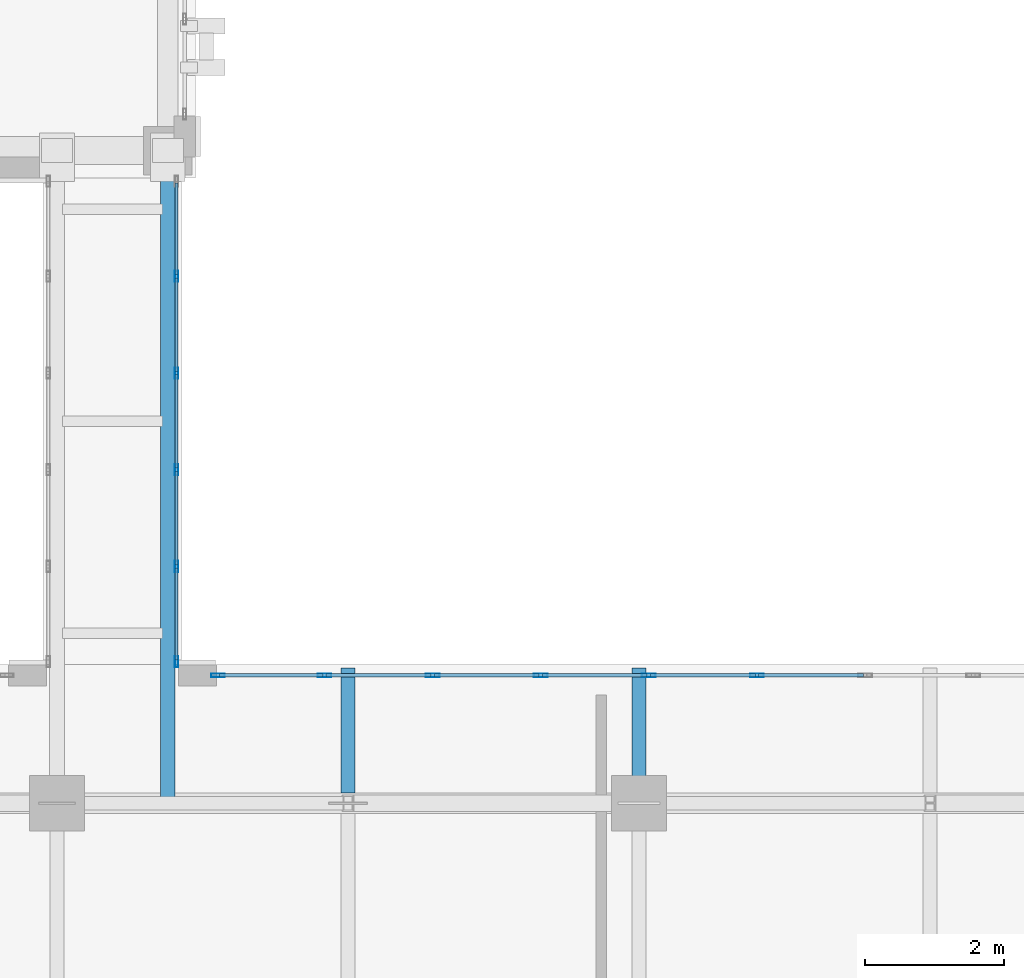
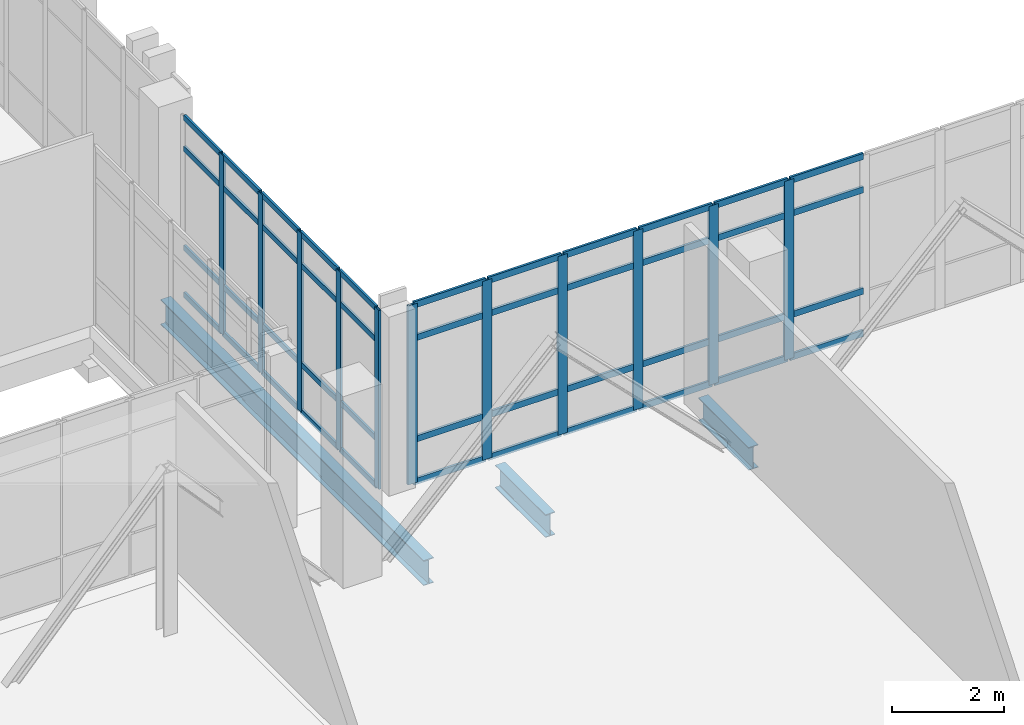
# One storey, part 22 of 193: 55 members, 3 beams, 2 elements without a shape of their own.
"""IFC4 building model written with IfcOpenShell, lengths in metres."""

from ifc_helpers import new_model, si_unit, direction, frame, origin, origin_2d, place, context, subcontext, project, spatial, hollow_rectangle, i_section, extrude, material, layer, layer_set, material_profile, profile_set, type_object, element, aggregate, save


model = new_model("IFC4")

# Units and contexts
model_context = context("Model", 3, precision=1e-05, world=origin(), true_north=direction((0.0, 1.0)))
body_context = subcontext(model_context, "Body", "Model", "MODEL_VIEW")
ifc_project = project(units=[si_unit("LENGTHUNIT", "METRE"), si_unit("AREAUNIT", "SQUARE_METRE"), si_unit("VOLUMEUNIT", "CUBIC_METRE"), si_unit("PLANEANGLEUNIT", "RADIAN"), si_unit("MASSUNIT", "GRAM", prefix="KILO")], contexts=[model_context])

# Site, building, storey
site_placement = place(None, origin())
site = spatial("IfcSite", under=ifc_project, at=site_placement, CompositionType="ELEMENT")
building_placement = place(site_placement, origin())
building = spatial("IfcBuilding", under=site, at=building_placement, Name="Qalavern Law Courts", CompositionType="ELEMENT")
storey_placement = place(building_placement, frame((0.0, 0.0, 10.199951171875)))
storey = spatial("IfcBuildingStorey", under=building, at=storey_placement, Name="L02", CompositionType="ELEMENT", Elevation=10.199951171875)

# Curtain wall, members
ifc_material_1 = material(Name="Anodised aluminium and insulated glazing", Category="aluminium")
ifc_layer_1 = layer(ifc_material_1, 0.14990234375)
ifc_layer_set_1 = layer_set([ifc_layer_1], Name="Anodised aluminium and insulated glazing")
curtain_wall_type_1 = type_object("IfcCurtainWallType", Name="ENV-CW-BRG", PredefinedType="USERDEFINED", material=ifc_layer_set_1)
curtain_wall_1_placement = place(storey_placement, origin())
curtain_wall_1 = element("IfcCurtainWall", 1, at=curtain_wall_1_placement, inside=storey, type_object=curtain_wall_type_1, Name="Bridge BR-V1-V3 glazed curtain wall L02-2", ObjectType="UNITISED CURTAIN WALL", PredefinedType="USERDEFINED")
ifc_material_2 = material(Name="Anodised aluminium", Category="aluminium")
ifc_material_profile_1 = material_profile(ifc_material_2, hollow_rectangle(XDim=0.048095703125, YDim=0.159912109375, WallThickness=0.00390625, at=origin_2d()), Name="ALU MULLION 48x160")
ifc_profile_set_1 = profile_set([ifc_material_profile_1], Name="Anodised aluminium")
member_type_1 = type_object("IfcMemberType", Name="ENV-CWM-48x160", PredefinedType="MULLION", material=ifc_profile_set_1)
member_1_placement = place(storey_placement, frame((18.52490234375, 34.0439453125, 0.0), z_axis=(0.0, 0.0, 1.0), x_axis=(-1.0, 0.0, 0.0)))
member_1 = element("IfcMember", 2, at=member_1_placement, type_object=member_type_1, Name="CW-06 mullion 1", PredefinedType="MULLION", context=body_context, shape_type="SweptSolid", body=[
    extrude(hollow_rectangle(XDim=0.048095703125, YDim=0.159912109375, WallThickness=0.00390625, at=origin_2d()), origin(), (0.0, 0.0, 1.0), 3.9150390625),
])
member_2_placement = place(storey_placement, frame((18.52490234375, 35.416015625, 0.0), z_axis=(0.0, 0.0, 1.0), x_axis=(-1.0, 0.0, 0.0)))
member_2 = element("IfcMember", 3, at=member_2_placement, type_object=member_type_1, Name="CW-06 mullion 2", PredefinedType="MULLION", context=body_context, shape_type="SweptSolid", body=[
    extrude(hollow_rectangle(XDim=0.048095703125, YDim=0.159912109375, WallThickness=0.00390625, at=origin_2d()), origin(), (0.0, 0.0, 1.0), 3.9150390625),
])
member_3_placement = place(storey_placement, frame((18.52490234375, 36.81201171875, 0.0), z_axis=(0.0, 0.0, 1.0), x_axis=(-1.0, 0.0, 0.0)))
member_3 = element("IfcMember", 4, at=member_3_placement, type_object=member_type_1, Name="CW-06 mullion 3", PredefinedType="MULLION", context=body_context, shape_type="SweptSolid", body=[
    extrude(hollow_rectangle(XDim=0.048095703125, YDim=0.159912109375, WallThickness=0.00390625, at=origin_2d()), origin(), (0.0, 0.0, 1.0), 3.9150390625),
])
member_4_placement = place(storey_placement, frame((18.52490234375, 38.2080078125, 0.0), z_axis=(0.0, 0.0, 1.0), x_axis=(-1.0, 0.0, 0.0)))
member_4 = element("IfcMember", 5, at=member_4_placement, type_object=member_type_1, Name="CW-06 mullion 4", PredefinedType="MULLION", context=body_context, shape_type="SweptSolid", body=[
    extrude(hollow_rectangle(XDim=0.048095703125, YDim=0.159912109375, WallThickness=0.00390625, at=origin_2d()), origin(), (0.0, 0.0, 1.0), 3.9150390625),
])
member_5_placement = place(storey_placement, frame((18.52490234375, 39.60400390625, 0.0), z_axis=(0.0, 0.0, 1.0), x_axis=(-1.0, 0.0, 0.0)))
member_5 = element("IfcMember", 6, at=member_5_placement, type_object=member_type_1, Name="CW-06 mullion 5", PredefinedType="MULLION", context=body_context, shape_type="SweptSolid", body=[
    extrude(hollow_rectangle(XDim=0.048095703125, YDim=0.159912109375, WallThickness=0.00390625, at=origin_2d()), origin(), (0.0, 0.0, 1.0), 3.9150390625),
])

ifc_layer_2 = layer(ifc_material_1, 0.199951171875)
ifc_layer_set_2 = layer_set([ifc_layer_2], Name="Anodised aluminium and insulated glazing")
curtain_wall_type_2 = type_object("IfcCurtainWallType", Name="ENV-CW-FOYER", PredefinedType="USERDEFINED", material=ifc_layer_set_2)
curtain_wall_2_placement = place(storey_placement, origin())
curtain_wall_2 = element("IfcCurtainWall", 7, at=curtain_wall_2_placement, inside=storey, type_object=curtain_wall_type_2, Name="V1 unitised curtain wall L02 north 1", ObjectType="UNITISED CURTAIN WALL", PredefinedType="USERDEFINED")
ifc_material_profile_2 = material_profile(ifc_material_2, hollow_rectangle(XDim=0.048095703125, YDim=0.199951171875, WallThickness=0.00439453125, at=origin_2d()), Name="ALU MULLION 48x200")
ifc_profile_set_2 = profile_set([ifc_material_profile_2], Name="Anodised aluminium")
member_type_2 = type_object("IfcMemberType", Name="ENV-CWM-48x200", PredefinedType="MULLION", material=ifc_profile_set_2)
member_6_placement = place(storey_placement, frame((26.90283203125, 33.844970703125, 0.0), z_axis=(0.0, 0.0, 1.0), x_axis=(0.0, -1.0, 0.0)))
member_6 = element("IfcMember", 8, at=member_6_placement, type_object=member_type_2, Name="CW-01 mullion 5", PredefinedType="MULLION", context=body_context, shape_type="SweptSolid", body=[
    extrude(hollow_rectangle(XDim=0.048095703125, YDim=0.199951171875, WallThickness=0.00439453125, at=origin_2d()), origin(), (0.0, 0.0, 1.0), 3.9150390625),
])
member_7_placement = place(storey_placement, frame((25.34228515625, 33.844970703125, 0.0), z_axis=(0.0, 0.0, 1.0), x_axis=(0.0, -1.0, 0.0)))
member_7 = element("IfcMember", 9, at=member_7_placement, type_object=member_type_2, Name="CW-01 mullion 6", PredefinedType="MULLION", context=body_context, shape_type="SweptSolid", body=[
    extrude(hollow_rectangle(XDim=0.048095703125, YDim=0.199951171875, WallThickness=0.00439453125, at=origin_2d()), origin(), (0.0, 0.0, 1.0), 3.9150390625),
])
member_8_placement = place(storey_placement, frame((23.78173828125, 33.844970703125, 0.0), z_axis=(0.0, 0.0, 1.0), x_axis=(0.0, -1.0, 0.0)))
member_8 = element("IfcMember", 10, at=member_8_placement, type_object=member_type_2, Name="CW-01 mullion 7", PredefinedType="MULLION", context=body_context, shape_type="SweptSolid", body=[
    extrude(hollow_rectangle(XDim=0.048095703125, YDim=0.199951171875, WallThickness=0.00439453125, at=origin_2d()), origin(), (0.0, 0.0, 1.0), 3.9150390625),
])
member_9_placement = place(storey_placement, frame((22.22119140625, 33.844970703125, 0.0), z_axis=(0.0, 0.0, 1.0), x_axis=(0.0, -1.0, 0.0)))
member_9 = element("IfcMember", 11, at=member_9_placement, type_object=member_type_2, Name="CW-01 mullion 8", PredefinedType="MULLION", context=body_context, shape_type="SweptSolid", body=[
    extrude(hollow_rectangle(XDim=0.048095703125, YDim=0.199951171875, WallThickness=0.00439453125, at=origin_2d()), origin(), (0.0, 0.0, 1.0), 3.9150390625),
])
member_10_placement = place(storey_placement, frame((20.66064453125, 33.844970703125, 0.0), z_axis=(0.0, 0.0, 1.0), x_axis=(0.0, -1.0, 0.0)))
member_10 = element("IfcMember", 12, at=member_10_placement, type_object=member_type_2, Name="CW-01 mullion 9", PredefinedType="MULLION", context=body_context, shape_type="SweptSolid", body=[
    extrude(hollow_rectangle(XDim=0.048095703125, YDim=0.199951171875, WallThickness=0.00439453125, at=origin_2d()), origin(), (0.0, 0.0, 1.0), 3.9150390625),
])
member_11_placement = place(storey_placement, frame((19.1240234375, 33.844970703125, 0.0), z_axis=(0.0, 0.0, 1.0), x_axis=(0.0, -1.0, 0.0)))
member_11 = element("IfcMember", 13, at=member_11_placement, type_object=member_type_2, Name="CW-01 mullion 10", PredefinedType="MULLION", context=body_context, shape_type="SweptSolid", body=[
    extrude(hollow_rectangle(XDim=0.048095703125, YDim=0.199951171875, WallThickness=0.00439453125, at=origin_2d()), origin(), (0.0, 0.0, 1.0), 3.9150390625),
])

# Member
ifc_material_profile_3 = material_profile(ifc_material_2, hollow_rectangle(XDim=0.048095703125, YDim=0.1201171875, WallThickness=0.00390625, at=origin_2d()), Name="ALU TRANSOM 48x120")
ifc_profile_set_3 = profile_set([ifc_material_profile_3], Name="Anodised aluminium")
member_type_3 = type_object("IfcMemberType", Name="ENV-CWT-48x120", PredefinedType="USERDEFINED", material=ifc_profile_set_3)
member_12_placement = place(storey_placement, frame((18.52490234375, 34.068115234375, 0.024169921875), z_axis=(0.0, 1.0, 0.0), x_axis=(-1.0, 0.0, 0.0)))
member_12 = element("IfcMember", 14, at=member_12_placement, type_object=member_type_3, Name="CW-06 transom 1.1", ObjectType="TRANSOM", PredefinedType="USERDEFINED", context=body_context, shape_type="SweptSolid", body=[
    extrude(hollow_rectangle(XDim=0.048095703125, YDim=0.1201171875, WallThickness=0.00390625, at=origin_2d()), origin(), (0.0, 0.0, 1.0), 1.323974609375),
])

member_13_placement = place(storey_placement, frame((18.52490234375, 34.068115234375, 1.050048828125), z_axis=(0.0, 1.0, 0.0), x_axis=(-1.0, 0.0, 0.0)))
member_13 = element("IfcMember", 15, at=member_13_placement, type_object=member_type_3, Name="CW-06 transom 1.2", ObjectType="TRANSOM", PredefinedType="USERDEFINED", context=body_context, shape_type="SweptSolid", body=[
    extrude(hollow_rectangle(XDim=0.048095703125, YDim=0.1201171875, WallThickness=0.00390625, at=origin_2d()), origin(), (0.0, 0.0, 1.0), 1.323974609375),
])

member_14_placement = place(storey_placement, frame((18.52490234375, 34.068115234375, 3.215087890625), z_axis=(0.0, 1.0, 0.0), x_axis=(-1.0, 0.0, 0.0)))
member_14 = element("IfcMember", 16, at=member_14_placement, type_object=member_type_3, Name="CW-06 transom 1.3", ObjectType="TRANSOM", PredefinedType="USERDEFINED", context=body_context, shape_type="SweptSolid", body=[
    extrude(hollow_rectangle(XDim=0.048095703125, YDim=0.1201171875, WallThickness=0.00390625, at=origin_2d()), origin(), (0.0, 0.0, 1.0), 1.323974609375),
])

member_15_placement = place(storey_placement, frame((18.52490234375, 34.068115234375, 3.89111328125), z_axis=(0.0, 1.0, 0.0), x_axis=(-1.0, 0.0, 0.0)))
member_15 = element("IfcMember", 17, at=member_15_placement, type_object=member_type_3, Name="CW-06 transom 1.4", ObjectType="TRANSOM", PredefinedType="USERDEFINED", context=body_context, shape_type="SweptSolid", body=[
    extrude(hollow_rectangle(XDim=0.048095703125, YDim=0.1201171875, WallThickness=0.00390625, at=origin_2d()), origin(), (0.0, 0.0, 1.0), 1.323974609375),
])

member_16_placement = place(storey_placement, frame((18.52490234375, 35.43994140625, 0.024169921875), z_axis=(0.0, 1.0, 0.0), x_axis=(-1.0, 0.0, 0.0)))
member_16 = element("IfcMember", 18, at=member_16_placement, type_object=member_type_3, Name="CW-06 transom 2.1", ObjectType="TRANSOM", PredefinedType="USERDEFINED", context=body_context, shape_type="SweptSolid", body=[
    extrude(hollow_rectangle(XDim=0.048095703125, YDim=0.1201171875, WallThickness=0.00390625, at=origin_2d()), origin(), (0.0, 0.0, 1.0), 1.34814453125),
])

member_17_placement = place(storey_placement, frame((18.52490234375, 35.43994140625, 1.050048828125), z_axis=(0.0, 1.0, 0.0), x_axis=(-1.0, 0.0, 0.0)))
member_17 = element("IfcMember", 19, at=member_17_placement, type_object=member_type_3, Name="CW-06 transom 2.2", ObjectType="TRANSOM", PredefinedType="USERDEFINED", context=body_context, shape_type="SweptSolid", body=[
    extrude(hollow_rectangle(XDim=0.048095703125, YDim=0.1201171875, WallThickness=0.00390625, at=origin_2d()), origin(), (0.0, 0.0, 1.0), 1.34814453125),
])

member_18_placement = place(storey_placement, frame((18.52490234375, 35.43994140625, 3.215087890625), z_axis=(0.0, 1.0, 0.0), x_axis=(-1.0, 0.0, 0.0)))
member_18 = element("IfcMember", 20, at=member_18_placement, type_object=member_type_3, Name="CW-06 transom 2.3", ObjectType="TRANSOM", PredefinedType="USERDEFINED", context=body_context, shape_type="SweptSolid", body=[
    extrude(hollow_rectangle(XDim=0.048095703125, YDim=0.1201171875, WallThickness=0.00390625, at=origin_2d()), origin(), (0.0, 0.0, 1.0), 1.34814453125),
])

member_19_placement = place(storey_placement, frame((18.52490234375, 35.43994140625, 3.89111328125), z_axis=(0.0, 1.0, 0.0), x_axis=(-1.0, 0.0, 0.0)))
member_19 = element("IfcMember", 21, at=member_19_placement, type_object=member_type_3, Name="CW-06 transom 2.4", ObjectType="TRANSOM", PredefinedType="USERDEFINED", context=body_context, shape_type="SweptSolid", body=[
    extrude(hollow_rectangle(XDim=0.048095703125, YDim=0.1201171875, WallThickness=0.00390625, at=origin_2d()), origin(), (0.0, 0.0, 1.0), 1.34814453125),
])

member_20_placement = place(storey_placement, frame((18.52490234375, 36.8359375, 0.024169921875), z_axis=(0.0, 1.0, 0.0), x_axis=(-1.0, 0.0, 0.0)))
member_20 = element("IfcMember", 22, at=member_20_placement, type_object=member_type_3, Name="CW-06 transom 3.1", ObjectType="TRANSOM", PredefinedType="USERDEFINED", context=body_context, shape_type="SweptSolid", body=[
    extrude(hollow_rectangle(XDim=0.048095703125, YDim=0.1201171875, WallThickness=0.00390625, at=origin_2d()), origin(), (0.0, 0.0, 1.0), 1.34814453125),
])

member_21_placement = place(storey_placement, frame((18.52490234375, 36.8359375, 1.050048828125), z_axis=(0.0, 1.0, 0.0), x_axis=(-1.0, 0.0, 0.0)))
member_21 = element("IfcMember", 23, at=member_21_placement, type_object=member_type_3, Name="CW-06 transom 3.2", ObjectType="TRANSOM", PredefinedType="USERDEFINED", context=body_context, shape_type="SweptSolid", body=[
    extrude(hollow_rectangle(XDim=0.048095703125, YDim=0.1201171875, WallThickness=0.00390625, at=origin_2d()), origin(), (0.0, 0.0, 1.0), 1.34814453125),
])

member_22_placement = place(storey_placement, frame((18.52490234375, 36.8359375, 3.215087890625), z_axis=(0.0, 1.0, 0.0), x_axis=(-1.0, 0.0, 0.0)))
member_22 = element("IfcMember", 24, at=member_22_placement, type_object=member_type_3, Name="CW-06 transom 3.3", ObjectType="TRANSOM", PredefinedType="USERDEFINED", context=body_context, shape_type="SweptSolid", body=[
    extrude(hollow_rectangle(XDim=0.048095703125, YDim=0.1201171875, WallThickness=0.00390625, at=origin_2d()), origin(), (0.0, 0.0, 1.0), 1.34814453125),
])

member_23_placement = place(storey_placement, frame((18.52490234375, 36.8359375, 3.89111328125), z_axis=(0.0, 1.0, 0.0), x_axis=(-1.0, 0.0, 0.0)))
member_23 = element("IfcMember", 25, at=member_23_placement, type_object=member_type_3, Name="CW-06 transom 3.4", ObjectType="TRANSOM", PredefinedType="USERDEFINED", context=body_context, shape_type="SweptSolid", body=[
    extrude(hollow_rectangle(XDim=0.048095703125, YDim=0.1201171875, WallThickness=0.00390625, at=origin_2d()), origin(), (0.0, 0.0, 1.0), 1.34814453125),
])

member_24_placement = place(storey_placement, frame((18.52490234375, 38.23193359375, 0.024169921875), z_axis=(0.0, 1.0, 0.0), x_axis=(-1.0, 0.0, 0.0)))
member_24 = element("IfcMember", 26, at=member_24_placement, type_object=member_type_3, Name="CW-06 transom 4.1", ObjectType="TRANSOM", PredefinedType="USERDEFINED", context=body_context, shape_type="SweptSolid", body=[
    extrude(hollow_rectangle(XDim=0.048095703125, YDim=0.1201171875, WallThickness=0.00390625, at=origin_2d()), origin(), (0.0, 0.0, 1.0), 1.34814453125),
])

member_25_placement = place(storey_placement, frame((18.52490234375, 38.23193359375, 1.050048828125), z_axis=(0.0, 1.0, 0.0), x_axis=(-1.0, 0.0, 0.0)))
member_25 = element("IfcMember", 27, at=member_25_placement, type_object=member_type_3, Name="CW-06 transom 4.2", ObjectType="TRANSOM", PredefinedType="USERDEFINED", context=body_context, shape_type="SweptSolid", body=[
    extrude(hollow_rectangle(XDim=0.048095703125, YDim=0.1201171875, WallThickness=0.00390625, at=origin_2d()), origin(), (0.0, 0.0, 1.0), 1.34814453125),
])

member_26_placement = place(storey_placement, frame((18.52490234375, 38.23193359375, 3.215087890625), z_axis=(0.0, 1.0, 0.0), x_axis=(-1.0, 0.0, 0.0)))
member_26 = element("IfcMember", 28, at=member_26_placement, type_object=member_type_3, Name="CW-06 transom 4.3", ObjectType="TRANSOM", PredefinedType="USERDEFINED", context=body_context, shape_type="SweptSolid", body=[
    extrude(hollow_rectangle(XDim=0.048095703125, YDim=0.1201171875, WallThickness=0.00390625, at=origin_2d()), origin(), (0.0, 0.0, 1.0), 1.34814453125),
])

member_27_placement = place(storey_placement, frame((18.52490234375, 38.23193359375, 3.89111328125), z_axis=(0.0, 1.0, 0.0), x_axis=(-1.0, 0.0, 0.0)))
member_27 = element("IfcMember", 29, at=member_27_placement, type_object=member_type_3, Name="CW-06 transom 4.4", ObjectType="TRANSOM", PredefinedType="USERDEFINED", context=body_context, shape_type="SweptSolid", body=[
    extrude(hollow_rectangle(XDim=0.048095703125, YDim=0.1201171875, WallThickness=0.00390625, at=origin_2d()), origin(), (0.0, 0.0, 1.0), 1.34814453125),
])

member_28_placement = place(storey_placement, frame((18.52490234375, 39.6279296875, 0.024169921875), z_axis=(0.0, 1.0, 0.0), x_axis=(-1.0, 0.0, 0.0)))
member_28 = element("IfcMember", 30, at=member_28_placement, type_object=member_type_3, Name="CW-06 transom 5.1", ObjectType="TRANSOM", PredefinedType="USERDEFINED", context=body_context, shape_type="SweptSolid", body=[
    extrude(hollow_rectangle(XDim=0.048095703125, YDim=0.1201171875, WallThickness=0.00390625, at=origin_2d()), origin(), (0.0, 0.0, 1.0), 1.323974609375),
])

member_29_placement = place(storey_placement, frame((18.52490234375, 39.6279296875, 1.050048828125), z_axis=(0.0, 1.0, 0.0), x_axis=(-1.0, 0.0, 0.0)))
member_29 = element("IfcMember", 31, at=member_29_placement, type_object=member_type_3, Name="CW-06 transom 5.2", ObjectType="TRANSOM", PredefinedType="USERDEFINED", context=body_context, shape_type="SweptSolid", body=[
    extrude(hollow_rectangle(XDim=0.048095703125, YDim=0.1201171875, WallThickness=0.00390625, at=origin_2d()), origin(), (0.0, 0.0, 1.0), 1.323974609375),
])

member_30_placement = place(storey_placement, frame((18.52490234375, 39.6279296875, 3.215087890625), z_axis=(0.0, 1.0, 0.0), x_axis=(-1.0, 0.0, 0.0)))
member_30 = element("IfcMember", 32, at=member_30_placement, type_object=member_type_3, Name="CW-06 transom 5.3", ObjectType="TRANSOM", PredefinedType="USERDEFINED", context=body_context, shape_type="SweptSolid", body=[
    extrude(hollow_rectangle(XDim=0.048095703125, YDim=0.1201171875, WallThickness=0.00390625, at=origin_2d()), origin(), (0.0, 0.0, 1.0), 1.323974609375),
])

member_31_placement = place(storey_placement, frame((18.52490234375, 39.6279296875, 3.89111328125), z_axis=(0.0, 1.0, 0.0), x_axis=(-1.0, 0.0, 0.0)))
member_31 = element("IfcMember", 33, at=member_31_placement, type_object=member_type_3, Name="CW-06 transom 5.4", ObjectType="TRANSOM", PredefinedType="USERDEFINED", context=body_context, shape_type="SweptSolid", body=[
    extrude(hollow_rectangle(XDim=0.048095703125, YDim=0.1201171875, WallThickness=0.00390625, at=origin_2d()), origin(), (0.0, 0.0, 1.0), 1.323974609375),
])

aggregate(curtain_wall_1, [member_1, member_2, member_3, member_4, member_5, member_12, member_13, member_14, member_15, member_16, member_17, member_18, member_19, member_20, member_21, member_22, member_23, member_24, member_25, member_26, member_27, member_28, member_29, member_30, member_31])

ifc_material_profile_4 = material_profile(ifc_material_2, hollow_rectangle(XDim=0.048095703125, YDim=0.139892578125, WallThickness=0.00390625, at=origin_2d()), Name="ALU TRANSOM 48x140")
ifc_profile_set_4 = profile_set([ifc_material_profile_4], Name="Anodised aluminium")
member_type_4 = type_object("IfcMemberType", Name="ENV-CWT-48x140", PredefinedType="USERDEFINED", material=ifc_profile_set_4)
member_32_placement = place(storey_placement, frame((28.439453125, 33.844970703125, 0.024169921875), z_axis=(-1.0, 0.0, 0.0), x_axis=(0.0, -1.0, 0.0)))
member_32 = element("IfcMember", 34, at=member_32_placement, type_object=member_type_4, Name="CW-01 transom 4.1", ObjectType="TRANSOM", PredefinedType="USERDEFINED", context=body_context, shape_type="SweptSolid", body=[
    extrude(hollow_rectangle(XDim=0.048095703125, YDim=0.139892578125, WallThickness=0.00390625, at=origin_2d()), origin(), (0.0, 0.0, 1.0), 1.5126953125),
])

member_33_placement = place(storey_placement, frame((28.439453125, 33.844970703125, 0.949951171875), z_axis=(-1.0, 0.0, 0.0), x_axis=(0.0, -1.0, 0.0)))
member_33 = element("IfcMember", 35, at=member_33_placement, type_object=member_type_4, Name="CW-01 transom 4.2", ObjectType="TRANSOM", PredefinedType="USERDEFINED", context=body_context, shape_type="SweptSolid", body=[
    extrude(hollow_rectangle(XDim=0.048095703125, YDim=0.139892578125, WallThickness=0.00390625, at=origin_2d()), origin(), (0.0, 0.0, 1.0), 1.5126953125),
])

member_34_placement = place(storey_placement, frame((28.439453125, 33.844970703125, 3.1650390625), z_axis=(-1.0, 0.0, 0.0), x_axis=(0.0, -1.0, 0.0)))
member_34 = element("IfcMember", 36, at=member_34_placement, type_object=member_type_4, Name="CW-01 transom 4.3", ObjectType="TRANSOM", PredefinedType="USERDEFINED", context=body_context, shape_type="SweptSolid", body=[
    extrude(hollow_rectangle(XDim=0.048095703125, YDim=0.139892578125, WallThickness=0.00390625, at=origin_2d()), origin(), (0.0, 0.0, 1.0), 1.5126953125),
])

member_35_placement = place(storey_placement, frame((28.439453125, 33.844970703125, 3.89111328125), z_axis=(-1.0, 0.0, 0.0), x_axis=(0.0, -1.0, 0.0)))
member_35 = element("IfcMember", 37, at=member_35_placement, type_object=member_type_4, Name="CW-01 transom 4.4", ObjectType="TRANSOM", PredefinedType="USERDEFINED", context=body_context, shape_type="SweptSolid", body=[
    extrude(hollow_rectangle(XDim=0.048095703125, YDim=0.139892578125, WallThickness=0.00390625, at=origin_2d()), origin(), (0.0, 0.0, 1.0), 1.5126953125),
])

member_36_placement = place(storey_placement, frame((26.878662109375, 33.844970703125, 0.024169921875), z_axis=(-1.0, 0.0, 0.0), x_axis=(0.0, -1.0, 0.0)))
member_36 = element("IfcMember", 38, at=member_36_placement, type_object=member_type_4, Name="CW-01 transom 5.1", ObjectType="TRANSOM", PredefinedType="USERDEFINED", context=body_context, shape_type="SweptSolid", body=[
    extrude(hollow_rectangle(XDim=0.048095703125, YDim=0.139892578125, WallThickness=0.00390625, at=origin_2d()), origin(), (0.0, 0.0, 1.0), 1.512451171875),
])

member_37_placement = place(storey_placement, frame((26.878662109375, 33.844970703125, 0.949951171875), z_axis=(-1.0, 0.0, 0.0), x_axis=(0.0, -1.0, 0.0)))
member_37 = element("IfcMember", 39, at=member_37_placement, type_object=member_type_4, Name="CW-01 transom 5.2", ObjectType="TRANSOM", PredefinedType="USERDEFINED", context=body_context, shape_type="SweptSolid", body=[
    extrude(hollow_rectangle(XDim=0.048095703125, YDim=0.139892578125, WallThickness=0.00390625, at=origin_2d()), origin(), (0.0, 0.0, 1.0), 1.512451171875),
])

member_38_placement = place(storey_placement, frame((26.878662109375, 33.844970703125, 3.1650390625), z_axis=(-1.0, 0.0, 0.0), x_axis=(0.0, -1.0, 0.0)))
member_38 = element("IfcMember", 40, at=member_38_placement, type_object=member_type_4, Name="CW-01 transom 5.3", ObjectType="TRANSOM", PredefinedType="USERDEFINED", context=body_context, shape_type="SweptSolid", body=[
    extrude(hollow_rectangle(XDim=0.048095703125, YDim=0.139892578125, WallThickness=0.00390625, at=origin_2d()), origin(), (0.0, 0.0, 1.0), 1.512451171875),
])

member_39_placement = place(storey_placement, frame((26.878662109375, 33.844970703125, 3.89111328125), z_axis=(-1.0, 0.0, 0.0), x_axis=(0.0, -1.0, 0.0)))
member_39 = element("IfcMember", 41, at=member_39_placement, type_object=member_type_4, Name="CW-01 transom 5.4", ObjectType="TRANSOM", PredefinedType="USERDEFINED", context=body_context, shape_type="SweptSolid", body=[
    extrude(hollow_rectangle(XDim=0.048095703125, YDim=0.139892578125, WallThickness=0.00390625, at=origin_2d()), origin(), (0.0, 0.0, 1.0), 1.512451171875),
])

member_40_placement = place(storey_placement, frame((25.318115234375, 33.844970703125, 0.024169921875), z_axis=(-1.0, 0.0, 0.0), x_axis=(0.0, -1.0, 0.0)))
member_40 = element("IfcMember", 42, at=member_40_placement, type_object=member_type_4, Name="CW-01 transom 6.1", ObjectType="TRANSOM", PredefinedType="USERDEFINED", context=body_context, shape_type="SweptSolid", body=[
    extrude(hollow_rectangle(XDim=0.048095703125, YDim=0.139892578125, WallThickness=0.00390625, at=origin_2d()), origin(), (0.0, 0.0, 1.0), 1.512451171875),
])

member_41_placement = place(storey_placement, frame((25.318115234375, 33.844970703125, 0.949951171875), z_axis=(-1.0, 0.0, 0.0), x_axis=(0.0, -1.0, 0.0)))
member_41 = element("IfcMember", 43, at=member_41_placement, type_object=member_type_4, Name="CW-01 transom 6.2", ObjectType="TRANSOM", PredefinedType="USERDEFINED", context=body_context, shape_type="SweptSolid", body=[
    extrude(hollow_rectangle(XDim=0.048095703125, YDim=0.139892578125, WallThickness=0.00390625, at=origin_2d()), origin(), (0.0, 0.0, 1.0), 1.512451171875),
])

member_42_placement = place(storey_placement, frame((25.318115234375, 33.844970703125, 3.1650390625), z_axis=(-1.0, 0.0, 0.0), x_axis=(0.0, -1.0, 0.0)))
member_42 = element("IfcMember", 44, at=member_42_placement, type_object=member_type_4, Name="CW-01 transom 6.3", ObjectType="TRANSOM", PredefinedType="USERDEFINED", context=body_context, shape_type="SweptSolid", body=[
    extrude(hollow_rectangle(XDim=0.048095703125, YDim=0.139892578125, WallThickness=0.00390625, at=origin_2d()), origin(), (0.0, 0.0, 1.0), 1.512451171875),
])

member_43_placement = place(storey_placement, frame((25.318115234375, 33.844970703125, 3.89111328125), z_axis=(-1.0, 0.0, 0.0), x_axis=(0.0, -1.0, 0.0)))
member_43 = element("IfcMember", 45, at=member_43_placement, type_object=member_type_4, Name="CW-01 transom 6.4", ObjectType="TRANSOM", PredefinedType="USERDEFINED", context=body_context, shape_type="SweptSolid", body=[
    extrude(hollow_rectangle(XDim=0.048095703125, YDim=0.139892578125, WallThickness=0.00390625, at=origin_2d()), origin(), (0.0, 0.0, 1.0), 1.512451171875),
])

member_44_placement = place(storey_placement, frame((23.757568359375, 33.844970703125, 0.024169921875), z_axis=(-1.0, 0.0, 0.0), x_axis=(0.0, -1.0, 0.0)))
member_44 = element("IfcMember", 46, at=member_44_placement, type_object=member_type_4, Name="CW-01 transom 7.1", ObjectType="TRANSOM", PredefinedType="USERDEFINED", context=body_context, shape_type="SweptSolid", body=[
    extrude(hollow_rectangle(XDim=0.048095703125, YDim=0.139892578125, WallThickness=0.00390625, at=origin_2d()), origin(), (0.0, 0.0, 1.0), 1.512451171875),
])

member_45_placement = place(storey_placement, frame((23.757568359375, 33.844970703125, 0.949951171875), z_axis=(-1.0, 0.0, 0.0), x_axis=(0.0, -1.0, 0.0)))
member_45 = element("IfcMember", 47, at=member_45_placement, type_object=member_type_4, Name="CW-01 transom 7.2", ObjectType="TRANSOM", PredefinedType="USERDEFINED", context=body_context, shape_type="SweptSolid", body=[
    extrude(hollow_rectangle(XDim=0.048095703125, YDim=0.139892578125, WallThickness=0.00390625, at=origin_2d()), origin(), (0.0, 0.0, 1.0), 1.512451171875),
])

member_46_placement = place(storey_placement, frame((23.757568359375, 33.844970703125, 3.1650390625), z_axis=(-1.0, 0.0, 0.0), x_axis=(0.0, -1.0, 0.0)))
member_46 = element("IfcMember", 48, at=member_46_placement, type_object=member_type_4, Name="CW-01 transom 7.3", ObjectType="TRANSOM", PredefinedType="USERDEFINED", context=body_context, shape_type="SweptSolid", body=[
    extrude(hollow_rectangle(XDim=0.048095703125, YDim=0.139892578125, WallThickness=0.00390625, at=origin_2d()), origin(), (0.0, 0.0, 1.0), 1.512451171875),
])

member_47_placement = place(storey_placement, frame((23.757568359375, 33.844970703125, 3.89111328125), z_axis=(-1.0, 0.0, 0.0), x_axis=(0.0, -1.0, 0.0)))
member_47 = element("IfcMember", 49, at=member_47_placement, type_object=member_type_4, Name="CW-01 transom 7.4", ObjectType="TRANSOM", PredefinedType="USERDEFINED", context=body_context, shape_type="SweptSolid", body=[
    extrude(hollow_rectangle(XDim=0.048095703125, YDim=0.139892578125, WallThickness=0.00390625, at=origin_2d()), origin(), (0.0, 0.0, 1.0), 1.512451171875),
])

member_48_placement = place(storey_placement, frame((22.197021484375, 33.844970703125, 0.024169921875), z_axis=(-1.0, 0.0, 0.0), x_axis=(0.0, -1.0, 0.0)))
member_48 = element("IfcMember", 50, at=member_48_placement, type_object=member_type_4, Name="CW-01 transom 8.1", ObjectType="TRANSOM", PredefinedType="USERDEFINED", context=body_context, shape_type="SweptSolid", body=[
    extrude(hollow_rectangle(XDim=0.048095703125, YDim=0.139892578125, WallThickness=0.00390625, at=origin_2d()), origin(), (0.0, 0.0, 1.0), 1.512451171875),
])

member_49_placement = place(storey_placement, frame((22.197021484375, 33.844970703125, 0.949951171875), z_axis=(-1.0, 0.0, 0.0), x_axis=(0.0, -1.0, 0.0)))
member_49 = element("IfcMember", 51, at=member_49_placement, type_object=member_type_4, Name="CW-01 transom 8.2", ObjectType="TRANSOM", PredefinedType="USERDEFINED", context=body_context, shape_type="SweptSolid", body=[
    extrude(hollow_rectangle(XDim=0.048095703125, YDim=0.139892578125, WallThickness=0.00390625, at=origin_2d()), origin(), (0.0, 0.0, 1.0), 1.512451171875),
])

member_50_placement = place(storey_placement, frame((22.197021484375, 33.844970703125, 3.1650390625), z_axis=(-1.0, 0.0, 0.0), x_axis=(0.0, -1.0, 0.0)))
member_50 = element("IfcMember", 52, at=member_50_placement, type_object=member_type_4, Name="CW-01 transom 8.3", ObjectType="TRANSOM", PredefinedType="USERDEFINED", context=body_context, shape_type="SweptSolid", body=[
    extrude(hollow_rectangle(XDim=0.048095703125, YDim=0.139892578125, WallThickness=0.00390625, at=origin_2d()), origin(), (0.0, 0.0, 1.0), 1.512451171875),
])

member_51_placement = place(storey_placement, frame((22.197021484375, 33.844970703125, 3.89111328125), z_axis=(-1.0, 0.0, 0.0), x_axis=(0.0, -1.0, 0.0)))
member_51 = element("IfcMember", 53, at=member_51_placement, type_object=member_type_4, Name="CW-01 transom 8.4", ObjectType="TRANSOM", PredefinedType="USERDEFINED", context=body_context, shape_type="SweptSolid", body=[
    extrude(hollow_rectangle(XDim=0.048095703125, YDim=0.139892578125, WallThickness=0.00390625, at=origin_2d()), origin(), (0.0, 0.0, 1.0), 1.512451171875),
])

member_52_placement = place(storey_placement, frame((20.636474609375, 33.844970703125, 0.024169921875), z_axis=(-1.0, 0.0, 0.0), x_axis=(0.0, -1.0, 0.0)))
member_52 = element("IfcMember", 54, at=member_52_placement, type_object=member_type_4, Name="CW-01 transom 9.1", ObjectType="TRANSOM", PredefinedType="USERDEFINED", context=body_context, shape_type="SweptSolid", body=[
    extrude(hollow_rectangle(XDim=0.048095703125, YDim=0.139892578125, WallThickness=0.00390625, at=origin_2d()), origin(), (0.0, 0.0, 1.0), 1.488525390625),
])

member_53_placement = place(storey_placement, frame((20.636474609375, 33.844970703125, 0.949951171875), z_axis=(-1.0, 0.0, 0.0), x_axis=(0.0, -1.0, 0.0)))
member_53 = element("IfcMember", 55, at=member_53_placement, type_object=member_type_4, Name="CW-01 transom 9.2", ObjectType="TRANSOM", PredefinedType="USERDEFINED", context=body_context, shape_type="SweptSolid", body=[
    extrude(hollow_rectangle(XDim=0.048095703125, YDim=0.139892578125, WallThickness=0.00390625, at=origin_2d()), origin(), (0.0, 0.0, 1.0), 1.488525390625),
])

member_54_placement = place(storey_placement, frame((20.636474609375, 33.844970703125, 3.1650390625), z_axis=(-1.0, 0.0, 0.0), x_axis=(0.0, -1.0, 0.0)))
member_54 = element("IfcMember", 56, at=member_54_placement, type_object=member_type_4, Name="CW-01 transom 9.3", ObjectType="TRANSOM", PredefinedType="USERDEFINED", context=body_context, shape_type="SweptSolid", body=[
    extrude(hollow_rectangle(XDim=0.048095703125, YDim=0.139892578125, WallThickness=0.00390625, at=origin_2d()), origin(), (0.0, 0.0, 1.0), 1.488525390625),
])

member_55_placement = place(storey_placement, frame((20.636474609375, 33.844970703125, 3.89111328125), z_axis=(-1.0, 0.0, 0.0), x_axis=(0.0, -1.0, 0.0)))
member_55 = element("IfcMember", 57, at=member_55_placement, type_object=member_type_4, Name="CW-01 transom 9.4", ObjectType="TRANSOM", PredefinedType="USERDEFINED", context=body_context, shape_type="SweptSolid", body=[
    extrude(hollow_rectangle(XDim=0.048095703125, YDim=0.139892578125, WallThickness=0.00390625, at=origin_2d()), origin(), (0.0, 0.0, 1.0), 1.488525390625),
])

aggregate(curtain_wall_2, [member_6, member_7, member_8, member_9, member_10, member_11, member_32, member_33, member_34, member_35, member_36, member_37, member_38, member_39, member_40, member_41, member_42, member_43, member_44, member_45, member_46, member_47, member_48, member_49, member_50, member_51, member_52, member_53, member_54, member_55])

# Beams
ifc_material_3 = material(Name="Steel S355", Category="steel")
ifc_material_profile_5 = material_profile(ifc_material_3, i_section(OverallWidth=0.199951171875, OverallDepth=0.5, WebThickness=0.01025390625, FlangeThickness=0.01611328125, FilletRadius=0.02099609375, at=origin_2d()), Name="IPE 500")
ifc_profile_set_5 = profile_set([ifc_material_profile_5], Name="Steel S355")
beam_type_1 = type_object("IfcBeamType", Name="STR-BM-IPE500", PredefinedType="BEAM", material=ifc_profile_set_5)
for number, where, z_axis, x_axis, name in (
    (58, (25.199951171875, 32.14794921875, -0.5400390625), (0.0, 1.0, 0.0), (-1.0, 0.0, 0.0), "Foyer transverse beam L02-3.4"),
    (59, (21.0, 32.14794921875, -0.5400390625), (0.0, 1.0, 0.0), (-1.0, 0.0, 0.0), "Foyer transverse beam L02-4.4"),
):
    element("IfcBeam", number, at=place(storey_placement, frame(where, z_axis=z_axis, x_axis=x_axis)), inside=storey, type_object=beam_type_1, Name=name, PredefinedType="BEAM", context=body_context, shape_type="SweptSolid", body=[
        extrude(i_section(OverallWidth=0.199951171875, OverallDepth=0.5, WebThickness=0.01025390625, FlangeThickness=0.01611328125, FilletRadius=0.02099609375, at=origin_2d()), origin(), (0.0, 0.0, 1.0), 1.802001953125),
    ])
ifc_material_profile_6 = material_profile(ifc_material_3, i_section(OverallWidth=0.2099609375, OverallDepth=0.550048828125, WebThickness=0.010986328125, FlangeThickness=0.01708984375, FilletRadius=0.02392578125, at=origin_2d()), Name="IPE 550")
ifc_profile_set_6 = profile_set([ifc_material_profile_6], Name="Steel S355")
beam_type_2 = type_object("IfcBeamType", Name="STR-BM-IPE550", PredefinedType="BEAM", material=ifc_profile_set_6)
beam_placement = place(storey_placement, frame((18.39990234375, 32.0, -0.56494140625), z_axis=(0.0, 1.0, 0.0), x_axis=(-1.0, 0.0, 0.0)))
element("IfcBeam", 60, at=beam_placement, inside=storey, type_object=beam_type_2, Name="Bridge BR-V1-V3 edge girder 2 L02", PredefinedType="BEAM", context=body_context, shape_type="SweptSolid", body=[
    extrude(i_section(OverallWidth=0.2099609375, OverallDepth=0.550048828125, WebThickness=0.010986328125, FlangeThickness=0.01708984375, FilletRadius=0.02392578125, at=origin_2d()), origin(), (0.0, 0.0, 1.0), 9.419921875),
])

save(model, "model.ifc")
